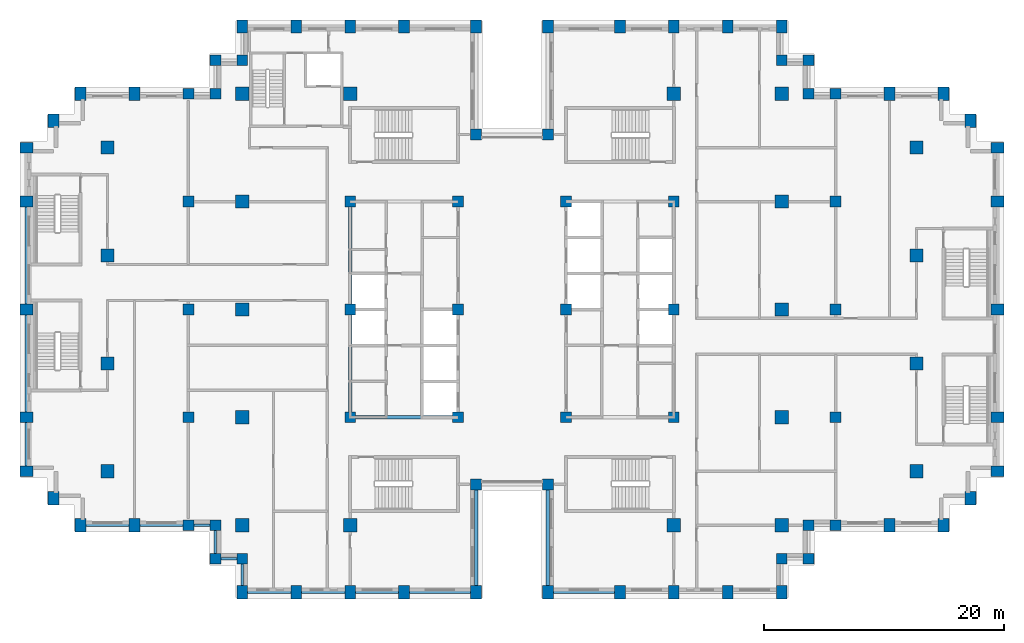
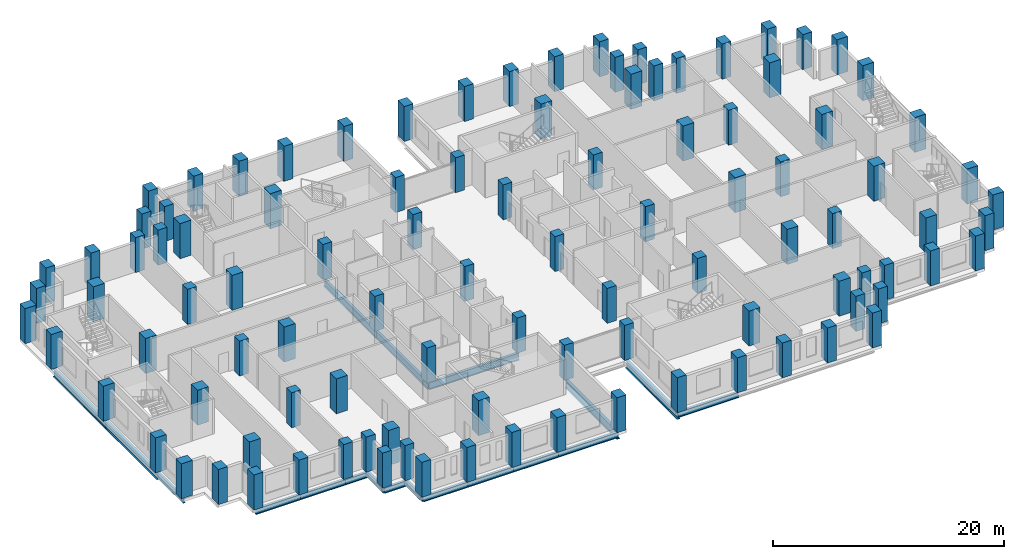
# One storey, part 1 of 15: 102 columns, 19 beams.
"""IFC4 building model written with IfcOpenShell, lengths in metres."""

from ifc_helpers import new_model, si_unit, direction, frame, origin, origin_2d, place, context, subcontext, project, spatial, rectangle, i_section, extrude, material, material_profile, profile_set, type_object, element, save


model = new_model("IFC4")

# Units and contexts
model_context = context("Model", 3, precision=1e-05, world=origin(), true_north=direction((0.0, 1.0)))
body_context = subcontext(model_context, "Body", "Model", "MODEL_VIEW")
ifc_project = project(units=[si_unit("LENGTHUNIT", "METRE"), si_unit("AREAUNIT", "SQUARE_METRE"), si_unit("VOLUMEUNIT", "CUBIC_METRE"), si_unit("PLANEANGLEUNIT", "RADIAN"), si_unit("MASSUNIT", "GRAM", prefix="KILO")], contexts=[model_context])

# Site, building, storey
site_placement = place(None, origin())
site = spatial("IfcSite", under=ifc_project, at=site_placement, CompositionType="ELEMENT")
building_placement = place(site_placement, origin())
building = spatial("IfcBuilding", under=site, at=building_placement, Name="Corbelhall Arena Tower", CompositionType="ELEMENT")
storey_placement = place(building_placement, frame((0.0, 0.0, 134.0)))
storey = spatial("IfcBuildingStorey", under=building, at=storey_placement, Name="L25", CompositionType="ELEMENT", Elevation=134.0)

# Columns
ifc_material_1 = material(Name="Concrete C80/95", Category="concrete")
ifc_material_profile_1 = material_profile(ifc_material_1, rectangle(XDim=1.10009765625, YDim=1.10009765625, at=origin_2d()))
ifc_profile_set_1 = profile_set([ifc_material_profile_1], Name="Concrete C80/95")
column_type_1 = type_object("IfcColumnType", Name="ST-COL-RC 1100x1100", PredefinedType="COLUMN", material=ifc_profile_set_1)
for number, where, z_axis, x_axis, name in (
    (1, (-33.75, 4.5, 0.0), (0.0, 0.0, 1.0), (1.0, 0.0, 0.0), "Column FIC+0450"),
    (2, (-33.75, 13.5, 0.0), (0.0, 0.0, 1.0), (1.0, 0.0, 0.0), "Column FIC+1350"),
    (3, (-33.75, -4.5, 0.0), (0.0, 0.0, 1.0), (1.0, 0.0, 0.0), "Column FIC-0450"),
    (4, (-33.75, -13.5, 0.0), (0.0, 0.0, 1.0), (1.0, 0.0, 0.0), "Column FIC-1350"),
    (5, (33.75, 4.5, 0.0), (0.0, 0.0, 1.0), (1.0, 0.0, 0.0), "Column FID+0450"),
    (6, (33.75, 13.5, 0.0), (0.0, 0.0, 1.0), (1.0, 0.0, 0.0), "Column FID+1350"),
    (7, (33.75, -4.5, 0.0), (0.0, 0.0, 1.0), (1.0, 0.0, 0.0), "Column FID-0450"),
    (8, (33.75, -13.5, 0.0), (0.0, 0.0, 1.0), (1.0, 0.0, 0.0), "Column FID-1350"),
    (9, (13.5, 18.0, 0.0), (0.0, 0.0, 1.0), (1.0, 0.0, 0.0), "Column IE13+1800"),
    (10, (13.5, -18.0, 0.0), (0.0, 0.0, 1.0), (1.0, 0.0, 0.0), "Column IE13-1800"),
    (11, (22.5, 0.0, 0.0), (0.0, 0.0, 1.0), (1.0, 0.0, 0.0), "Column IE22+0000"),
    (12, (22.5, 9.0, 0.0), (0.0, 0.0, 1.0), (1.0, 0.0, 0.0), "Column IE22+0900"),
    (13, (22.5, 18.0, 0.0), (0.0, 0.0, 1.0), (1.0, 0.0, 0.0), "Column IE22+1800"),
    (14, (22.5, -9.0, 0.0), (0.0, 0.0, 1.0), (1.0, 0.0, 0.0), "Column IE22-0900"),
    (15, (22.5, -18.0, 0.0), (0.0, 0.0, 1.0), (1.0, 0.0, 0.0), "Column IE22-1800"),
    (16, (-13.5, 18.0, 0.0), (0.0, 0.0, 1.0), (1.0, 0.0, 0.0), "Column IW13+1800"),
    (17, (-13.5, -18.0, 0.0), (0.0, 0.0, 1.0), (1.0, 0.0, 0.0), "Column IW13-1800"),
    (18, (-22.5, 0.0, 0.0), (0.0, 0.0, 1.0), (1.0, 0.0, 0.0), "Column IW22+0000"),
    (19, (-22.5, 9.0, 0.0), (0.0, 0.0, 1.0), (1.0, 0.0, 0.0), "Column IW22+0900"),
    (20, (-22.5, 18.0, 0.0), (0.0, 0.0, 1.0), (1.0, 0.0, 0.0), "Column IW22+1800"),
    (21, (-22.5, -9.0, 0.0), (0.0, 0.0, 1.0), (1.0, 0.0, 0.0), "Column IW22-0900"),
    (22, (-22.5, -18.0, 0.0), (0.0, 0.0, 1.0), (1.0, 0.0, 0.0), "Column IW22-1800"),
):
    element("IfcColumn", number, at=place(storey_placement, frame(where, z_axis=z_axis, x_axis=x_axis)), inside=storey, type_object=column_type_1, Name=name, PredefinedType="COLUMN", context=body_context, shape_type="SweptSolid", body=[
        extrude(rectangle(XDim=1.10009765625, YDim=1.10009765625, at=origin_2d()), origin(), (0.0, 0.0, 1.0), 3.699951171875),
    ])
ifc_material_profile_2 = material_profile(ifc_material_1, rectangle(XDim=0.89990234375, YDim=1.10009765625, at=origin_2d()))
ifc_profile_set_2 = profile_set([ifc_material_profile_2], Name="Concrete C80/95")
column_type_2 = type_object("IfcColumnType", Name="ST-COL-RC 900x1100", PredefinedType="COLUMN", material=ifc_profile_set_2)
for number, where, z_axis, x_axis, name in (
    (23, (-40.5, 0.0, 0.0), (0.0, 0.0, 1.0), (0.0, 1.0, 0.0), "Column FC+0000"),
    (24, (-40.5, 9.0, 0.0), (0.0, 0.0, 1.0), (0.0, 1.0, 0.0), "Column FC+0900"),
    (25, (-40.5, 13.5, 0.0), (0.0, 0.0, 1.0), (0.0, 1.0, 0.0), "Column FC+1350"),
    (26, (-40.5, -9.0, 0.0), (0.0, 0.0, 1.0), (0.0, 1.0, 0.0), "Column FC-0900"),
    (27, (-40.5, -13.5, 0.0), (0.0, 0.0, 1.0), (0.0, 1.0, 0.0), "Column FC-1350"),
    (28, (-38.25, 15.75, 0.0), (0.0, 0.0, 1.0), (1.0, 0.0, 0.0), "Column FCCN"),
    (29, (-38.25, -15.75, 0.0), (0.0, 0.0, 1.0), (1.0, 0.0, 0.0), "Column FCCS"),
    (30, (-31.5, 18.0, 0.0), (0.0, 0.0, 1.0), (1.0, 0.0, 0.0), "Column FCN3150"),
    (31, (-36.0, 18.0, 0.0), (0.0, 0.0, 1.0), (1.0, 0.0, 0.0), "Column FCN3600"),
    (32, (-31.5, -18.0, 0.0), (0.0, 0.0, 1.0), (1.0, 0.0, 0.0), "Column FCS3150"),
    (33, (-36.0, -18.0, 0.0), (0.0, 0.0, 1.0), (1.0, 0.0, 0.0), "Column FCS3600"),
    (34, (40.5, 0.0, 0.0), (0.0, 0.0, 1.0), (0.0, 1.0, 0.0), "Column FD+0000"),
    (35, (40.5, 9.0, 0.0), (0.0, 0.0, 1.0), (0.0, 1.0, 0.0), "Column FD+0900"),
    (36, (40.5, 13.5, 0.0), (0.0, 0.0, 1.0), (0.0, 1.0, 0.0), "Column FD+1350"),
    (37, (40.5, -9.0, 0.0), (0.0, 0.0, 1.0), (0.0, 1.0, 0.0), "Column FD-0900"),
    (38, (40.5, -13.5, 0.0), (0.0, 0.0, 1.0), (0.0, 1.0, 0.0), "Column FD-1350"),
    (39, (38.25, 15.75, 0.0), (0.0, 0.0, 1.0), (1.0, 0.0, 0.0), "Column FDCN"),
    (40, (38.25, -15.75, 0.0), (0.0, 0.0, 1.0), (1.0, 0.0, 0.0), "Column FDCS"),
    (41, (31.5, 18.0, 0.0), (0.0, 0.0, 1.0), (1.0, 0.0, 0.0), "Column FDN3150"),
    (42, (36.0, 18.0, 0.0), (0.0, 0.0, 1.0), (1.0, 0.0, 0.0), "Column FDN3600"),
    (43, (31.5, -18.0, 0.0), (0.0, 0.0, 1.0), (1.0, 0.0, 0.0), "Column FDS3150"),
    (44, (36.0, -18.0, 0.0), (0.0, 0.0, 1.0), (1.0, 0.0, 0.0), "Column FDS3600"),
    (45, (3.0, 23.60009765625, 0.0), (0.0, 0.0, 1.0), (1.0, 0.0, 0.0), "Column PNE0300"),
    (46, (9.0, 23.60009765625, 0.0), (0.0, 0.0, 1.0), (1.0, 0.0, 0.0), "Column PNE0900"),
    (47, (13.5, 23.60009765625, 0.0), (0.0, 0.0, 1.0), (1.0, 0.0, 0.0), "Column PNE1350"),
    (48, (18.0, 23.60009765625, 0.0), (0.0, 0.0, 1.0), (1.0, 0.0, 0.0), "Column PNE1800"),
    (49, (22.5, 23.60009765625, 0.0), (0.0, 0.0, 1.0), (1.0, 0.0, 0.0), "Column PNE2250"),
    (50, (-3.0, 23.60009765625, 0.0), (0.0, 0.0, 1.0), (1.0, 0.0, 0.0), "Column PNW0300"),
    (51, (-9.0, 23.60009765625, 0.0), (0.0, 0.0, 1.0), (1.0, 0.0, 0.0), "Column PNW0900"),
    (52, (-13.5, 23.60009765625, 0.0), (0.0, 0.0, 1.0), (1.0, 0.0, 0.0), "Column PNW1350"),
    (53, (-18.0, 23.60009765625, 0.0), (0.0, 0.0, 1.0), (1.0, 0.0, 0.0), "Column PNW1800"),
    (54, (-22.5, 23.60009765625, 0.0), (0.0, 0.0, 1.0), (1.0, 0.0, 0.0), "Column PNW2250"),
    (55, (3.0, -23.60009765625, 0.0), (0.0, 0.0, 1.0), (1.0, 0.0, 0.0), "Column PSE0300"),
    (56, (9.0, -23.60009765625, 0.0), (0.0, 0.0, 1.0), (1.0, 0.0, 0.0), "Column PSE0900"),
    (57, (13.5, -23.60009765625, 0.0), (0.0, 0.0, 1.0), (1.0, 0.0, 0.0), "Column PSE1350"),
    (58, (18.0, -23.60009765625, 0.0), (0.0, 0.0, 1.0), (1.0, 0.0, 0.0), "Column PSE1800"),
    (59, (22.5, -23.60009765625, 0.0), (0.0, 0.0, 1.0), (1.0, 0.0, 0.0), "Column PSE2250"),
    (60, (-3.0, -23.60009765625, 0.0), (0.0, 0.0, 1.0), (1.0, 0.0, 0.0), "Column PSW0300"),
    (61, (-9.0, -23.60009765625, 0.0), (0.0, 0.0, 1.0), (1.0, 0.0, 0.0), "Column PSW0900"),
    (62, (-13.5, -23.60009765625, 0.0), (0.0, 0.0, 1.0), (1.0, 0.0, 0.0), "Column PSW1350"),
    (63, (-18.0, -23.60009765625, 0.0), (0.0, 0.0, 1.0), (1.0, 0.0, 0.0), "Column PSW1800"),
    (64, (-22.5, -23.60009765625, 0.0), (0.0, 0.0, 1.0), (1.0, 0.0, 0.0), "Column PSW2250"),
):
    element("IfcColumn", number, at=place(storey_placement, frame(where, z_axis=z_axis, x_axis=x_axis)), inside=storey, type_object=column_type_2, Name=name, PredefinedType="COLUMN", context=body_context, shape_type="SweptSolid", body=[
        extrude(rectangle(XDim=0.89990234375, YDim=1.10009765625, at=origin_2d()), origin(), (0.0, 0.0, 1.0), 3.699951171875),
    ])
ifc_material_profile_3 = material_profile(ifc_material_1, rectangle(XDim=0.89990234375, YDim=0.89990234375, at=origin_2d()))
ifc_profile_set_3 = profile_set([ifc_material_profile_3], Name="Concrete C80/95")
column_type_3 = type_object("IfcColumnType", Name="ST-COL-RC 900x900", PredefinedType="COLUMN", material=ifc_profile_set_3)
for number, where, z_axis, x_axis, name in (
    (65, (4.5, 0.0, 0.0), (0.0, 0.0, 1.0), (1.0, 0.0, 0.0), "Column KE+0450+0000"),
    (66, (4.5, 9.0, 0.0), (0.0, 0.0, 1.0), (1.0, 0.0, 0.0), "Column KE+0450+0900"),
    (67, (4.5, -9.0, 0.0), (0.0, 0.0, 1.0), (1.0, 0.0, 0.0), "Column KE+0450-0900"),
    (68, (13.5, 0.0, 0.0), (0.0, 0.0, 1.0), (1.0, 0.0, 0.0), "Column KE+1350+0000"),
    (69, (13.5, 9.0, 0.0), (0.0, 0.0, 1.0), (1.0, 0.0, 0.0), "Column KE+1350+0900"),
    (70, (13.5, -9.0, 0.0), (0.0, 0.0, 1.0), (1.0, 0.0, 0.0), "Column KE+1350-0900"),
    (71, (-4.5, 0.0, 0.0), (0.0, 0.0, 1.0), (1.0, 0.0, 0.0), "Column KW-0450+0000"),
    (72, (-4.5, 9.0, 0.0), (0.0, 0.0, 1.0), (1.0, 0.0, 0.0), "Column KW-0450+0900"),
    (73, (-4.5, -9.0, 0.0), (0.0, 0.0, 1.0), (1.0, 0.0, 0.0), "Column KW-0450-0900"),
    (74, (-13.5, 0.0, 0.0), (0.0, 0.0, 1.0), (1.0, 0.0, 0.0), "Column KW-1350+0000"),
    (75, (-13.5, 9.0, 0.0), (0.0, 0.0, 1.0), (1.0, 0.0, 0.0), "Column KW-1350+0900"),
    (76, (-13.5, -9.0, 0.0), (0.0, 0.0, 1.0), (1.0, 0.0, 0.0), "Column KW-1350-0900"),
    (77, (27.0, 0.0, 0.0), (0.0, 0.0, 1.0), (1.0, 0.0, 0.0), "Column PE+0000"),
    (78, (27.0, 9.0, 0.0), (0.0, 0.0, 1.0), (1.0, 0.0, 0.0), "Column PE+0900"),
    (79, (27.0, 18.0, 0.0), (0.0, 0.0, 1.0), (1.0, 0.0, 0.0), "Column PE+1800"),
    (80, (27.0, -9.0, 0.0), (0.0, 0.0, 1.0), (1.0, 0.0, 0.0), "Column PE-0900"),
    (81, (27.0, -18.0, 0.0), (0.0, 0.0, 1.0), (1.0, 0.0, 0.0), "Column PE-1800"),
    (82, (-27.0, 0.0, 0.0), (0.0, 0.0, 1.0), (1.0, 0.0, 0.0), "Column PW+0000"),
    (83, (-27.0, 9.0, 0.0), (0.0, 0.0, 1.0), (1.0, 0.0, 0.0), "Column PW+0900"),
    (84, (-27.0, 18.0, 0.0), (0.0, 0.0, 1.0), (1.0, 0.0, 0.0), "Column PW+1800"),
    (85, (-27.0, -9.0, 0.0), (0.0, 0.0, 1.0), (1.0, 0.0, 0.0), "Column PW-0900"),
    (86, (-27.0, -18.0, 0.0), (0.0, 0.0, 1.0), (1.0, 0.0, 0.0), "Column PW-1800"),
    (87, (3.0, 14.60009765625, 0.0), (0.0, 0.0, 1.0), (1.0, 0.0, 0.0), "Column SLNE2"),
    (88, (-3.0, 14.60009765625, 0.0), (0.0, 0.0, 1.0), (1.0, 0.0, 0.0), "Column SLNW2"),
    (89, (3.0, -14.60009765625, 0.0), (0.0, 0.0, 1.0), (1.0, 0.0, 0.0), "Column SLSE2"),
    (90, (-3.0, -14.60009765625, 0.0), (0.0, 0.0, 1.0), (1.0, 0.0, 0.0), "Column SLSW2"),
    (91, (22.5, 20.800048828125, 0.0), (0.0, 0.0, 1.0), (1.0, 0.0, 0.0), "Column XNE1"),
    (92, (24.75, 20.800048828125, 0.0), (0.0, 0.0, 1.0), (1.0, 0.0, 0.0), "Column XNE2"),
    (93, (24.75, 18.0, 0.0), (0.0, 0.0, 1.0), (1.0, 0.0, 0.0), "Column XNE3"),
    (94, (-22.5, 20.800048828125, 0.0), (0.0, 0.0, 1.0), (1.0, 0.0, 0.0), "Column XNW1"),
    (95, (-24.75, 20.800048828125, 0.0), (0.0, 0.0, 1.0), (1.0, 0.0, 0.0), "Column XNW2"),
    (96, (-24.75, 18.0, 0.0), (0.0, 0.0, 1.0), (1.0, 0.0, 0.0), "Column XNW3"),
    (97, (22.5, -20.800048828125, 0.0), (0.0, 0.0, 1.0), (1.0, 0.0, 0.0), "Column XSE1"),
    (98, (24.75, -20.800048828125, 0.0), (0.0, 0.0, 1.0), (1.0, 0.0, 0.0), "Column XSE2"),
    (99, (24.75, -18.0, 0.0), (0.0, 0.0, 1.0), (1.0, 0.0, 0.0), "Column XSE3"),
    (100, (-22.5, -20.800048828125, 0.0), (0.0, 0.0, 1.0), (1.0, 0.0, 0.0), "Column XSW1"),
    (101, (-24.75, -20.800048828125, 0.0), (0.0, 0.0, 1.0), (1.0, 0.0, 0.0), "Column XSW2"),
    (102, (-24.75, -18.0, 0.0), (0.0, 0.0, 1.0), (1.0, 0.0, 0.0), "Column XSW3"),
):
    element("IfcColumn", number, at=place(storey_placement, frame(where, z_axis=z_axis, x_axis=x_axis)), inside=storey, type_object=column_type_3, Name=name, PredefinedType="COLUMN", context=body_context, shape_type="SweptSolid", body=[
        extrude(rectangle(XDim=0.89990234375, YDim=0.89990234375, at=origin_2d()), origin(), (0.0, 0.0, 1.0), 3.699951171875),
    ])

# Beams
ifc_material_2 = material(Name="Steel ASTM A992 Gr50", Category="steel")
ifc_material_profile_4 = material_profile(ifc_material_2, i_section(OverallWidth=0.2666015625, OverallDepth=0.761962890625, WebThickness=0.014404296875, FlangeThickness=0.021484375, at=origin_2d()))
ifc_profile_set_4 = profile_set([ifc_material_profile_4], Name="Steel ASTM A992 Gr50")
beam_type_1 = type_object("IfcBeamType", Name="ST-BEAM-W30x116", PredefinedType="BEAM", material=ifc_profile_set_4)
for number, where, z_axis, x_axis, name in (
    (103, (-13.5, -9.0, -0.680908203125), (0.0, 1.0, 0.0), (-1.0, 0.0, 0.0), "Beam CEW 1"),
    (104, (-13.5, 0.0, -0.680908203125), (0.0, 1.0, 0.0), (-1.0, 0.0, 0.0), "Beam CEW 2"),
    (105, (-13.5, -9.0, -0.680908203125), (1.0, 0.0, 0.0), (0.0, 1.0, 0.0), "Beam CEW 5"),
):
    element("IfcBeam", number, at=place(storey_placement, frame(where, z_axis=z_axis, x_axis=x_axis)), inside=storey, type_object=beam_type_1, Name=name, PredefinedType="BEAM", context=body_context, shape_type="SweptSolid", body=[
        extrude(i_section(OverallWidth=0.2666015625, OverallDepth=0.761962890625, WebThickness=0.014404296875, FlangeThickness=0.021484375, at=origin_2d()), origin(), (0.0, 0.0, 1.0), 9.0),
    ])
ifc_material_profile_5 = material_profile(ifc_material_2, i_section(OverallWidth=0.22900390625, OverallDepth=0.612060546875, WebThickness=0.011962890625, FlangeThickness=0.01953125, at=origin_2d()))
ifc_profile_set_5 = profile_set([ifc_material_profile_5], Name="Steel ASTM A992 Gr50")
beam_type_2 = type_object("IfcBeamType", Name="ST-SPANDREL-W24x84", PredefinedType="SPANDREL", material=ifc_profile_set_5)
for number, where, z_axis, x_axis, name in (
    (106, (-40.5, -13.5, -0.60595703125), (0.0, 1.0, 0.0), (-1.0, 0.0, 0.0), "Beam SP 4"),
    (107, (-31.5, -18.0, -0.60595703125), (-1.0, 0.0, 0.0), (0.0, -1.0, 0.0), "Beam SP 7"),
):
    element("IfcBeam", number, at=place(storey_placement, frame(where, z_axis=z_axis, x_axis=x_axis)), inside=storey, type_object=beam_type_2, Name=name, PredefinedType="SPANDREL", context=body_context, shape_type="SweptSolid", body=[
        extrude(i_section(OverallWidth=0.22900390625, OverallDepth=0.612060546875, WebThickness=0.011962890625, FlangeThickness=0.01953125, at=origin_2d()), origin(), (0.0, 0.0, 1.0), 4.5),
    ])
for number, where, z_axis, x_axis, name in (
    (108, (9.0, -23.60009765625, -0.60595703125), (-1.0, 0.0, 0.0), (0.0, -1.0, 0.0), "Beam SP 28"),
    (109, (-3.0, -23.60009765625, -0.60595703125), (-1.0, 0.0, 0.0), (0.0, -1.0, 0.0), "Beam SP 32"),
):
    element("IfcBeam", number, at=place(storey_placement, frame(where, z_axis=z_axis, x_axis=x_axis)), inside=storey, type_object=beam_type_2, Name=name, PredefinedType="SPANDREL", context=body_context, shape_type="SweptSolid", body=[
        extrude(i_section(OverallWidth=0.22900390625, OverallDepth=0.612060546875, WebThickness=0.011962890625, FlangeThickness=0.01953125, at=origin_2d()), origin(), (0.0, 0.0, 1.0), 6.0),
    ])
for number, where, z_axis, x_axis, name in (
    (110, (-9.0, -23.60009765625, -0.60595703125), (-1.0, 0.0, 0.0), (0.0, -1.0, 0.0), "Beam SP 33"),
    (111, (-13.5, -23.60009765625, -0.60595703125), (-1.0, 0.0, 0.0), (0.0, -1.0, 0.0), "Beam SP 34"),
    (112, (-18.0, -23.60009765625, -0.60595703125), (-1.0, 0.0, 0.0), (0.0, -1.0, 0.0), "Beam SP 35"),
):
    element("IfcBeam", number, at=place(storey_placement, frame(where, z_axis=z_axis, x_axis=x_axis)), inside=storey, type_object=beam_type_2, Name=name, PredefinedType="SPANDREL", context=body_context, shape_type="SweptSolid", body=[
        extrude(i_section(OverallWidth=0.22900390625, OverallDepth=0.612060546875, WebThickness=0.011962890625, FlangeThickness=0.01953125, at=origin_2d()), origin(), (0.0, 0.0, 1.0), 4.5),
    ])
beam_1_placement = place(storey_placement, frame((-22.5, -23.60009765625, -0.60595703125), z_axis=(0.0, 1.0, 0.0), x_axis=(-1.0, 0.0, 0.0)))
element("IfcBeam", 113, at=beam_1_placement, inside=storey, type_object=beam_type_2, Name="Beam SP 36", PredefinedType="SPANDREL", context=body_context, shape_type="SweptSolid", body=[
    extrude(i_section(OverallWidth=0.22900390625, OverallDepth=0.612060546875, WebThickness=0.011962890625, FlangeThickness=0.01953125, at=origin_2d()), origin(), (0.0, 0.0, 1.0), 2.800048828125),
])
beam_2_placement = place(storey_placement, frame((-27.0, -18.0, -0.60595703125), z_axis=(-1.0, 0.0, 0.0), x_axis=(0.0, -1.0, 0.0)))
element("IfcBeam", 114, at=beam_2_placement, inside=storey, type_object=beam_type_2, Name="Beam SP 38", PredefinedType="SPANDREL", context=body_context, shape_type="SweptSolid", body=[
    extrude(i_section(OverallWidth=0.22900390625, OverallDepth=0.612060546875, WebThickness=0.011962890625, FlangeThickness=0.01953125, at=origin_2d()), origin(), (0.0, 0.0, 1.0), 4.5),
])
beam_3_placement = place(storey_placement, frame((-22.5, -20.800048828125, -0.60595703125), z_axis=(-1.0, 0.0, 0.0), x_axis=(0.0, -1.0, 0.0)))
element("IfcBeam", 115, at=beam_3_placement, inside=storey, type_object=beam_type_2, Name="Beam SP 52", PredefinedType="SPANDREL", context=body_context, shape_type="SweptSolid", body=[
    extrude(i_section(OverallWidth=0.22900390625, OverallDepth=0.612060546875, WebThickness=0.011962890625, FlangeThickness=0.01953125, at=origin_2d()), origin(), (0.0, 0.0, 1.0), 2.25),
])
beam_4_placement = place(storey_placement, frame((-24.75, -20.800048828125, -0.60595703125), z_axis=(0.0, 1.0, 0.0), x_axis=(-1.0, 0.0, 0.0)))
element("IfcBeam", 116, at=beam_4_placement, inside=storey, type_object=beam_type_2, Name="Beam SP 53", PredefinedType="SPANDREL", context=body_context, shape_type="SweptSolid", body=[
    extrude(i_section(OverallWidth=0.22900390625, OverallDepth=0.612060546875, WebThickness=0.011962890625, FlangeThickness=0.01953125, at=origin_2d()), origin(), (0.0, 0.0, 1.0), 2.800048828125),
])
beam_5_placement = place(storey_placement, frame((-24.75, -18.0, -0.60595703125), z_axis=(-1.0, 0.0, 0.0), x_axis=(0.0, -1.0, 0.0)))
element("IfcBeam", 117, at=beam_5_placement, inside=storey, type_object=beam_type_2, Name="Beam SP 54", PredefinedType="SPANDREL", context=body_context, shape_type="SweptSolid", body=[
    extrude(i_section(OverallWidth=0.22900390625, OverallDepth=0.612060546875, WebThickness=0.011962890625, FlangeThickness=0.01953125, at=origin_2d()), origin(), (0.0, 0.0, 1.0), 2.25),
])
ifc_material_profile_6 = material_profile(ifc_material_2, i_section(OverallWidth=0.2919921875, OverallDepth=0.845703125, WebThickness=0.015380859375, FlangeThickness=0.0244140625, at=origin_2d()))
ifc_profile_set_6 = profile_set([ifc_material_profile_6], Name="Steel ASTM A992 Gr50")
beam_type_3 = type_object("IfcBeamType", Name="ST-SPANDREL-W33x141", PredefinedType="SPANDREL", material=ifc_profile_set_6)
for number, where, z_axis, x_axis, name in (
    (118, (-40.5, 0.0, -0.722900390625), (0.0, 1.0, 0.0), (-1.0, 0.0, 0.0), "Beam SP 1"),
    (119, (-40.5, -9.0, -0.722900390625), (0.0, 1.0, 0.0), (-1.0, 0.0, 0.0), "Beam SP 3"),
    (120, (3.0, -23.60009765625, -0.722900390625), (0.0, 1.0, 0.0), (-1.0, 0.0, 0.0), "Beam SP 27"),
    (121, (-3.0, -14.60009765625, -0.722900390625), (0.0, -1.0, 0.0), (1.0, 0.0, 0.0), "Beam SP 42"),
):
    element("IfcBeam", number, at=place(storey_placement, frame(where, z_axis=z_axis, x_axis=x_axis)), inside=storey, type_object=beam_type_3, Name=name, PredefinedType="SPANDREL", context=body_context, shape_type="SweptSolid", body=[
        extrude(i_section(OverallWidth=0.2919921875, OverallDepth=0.845703125, WebThickness=0.015380859375, FlangeThickness=0.0244140625, at=origin_2d()), origin(), (0.0, 0.0, 1.0), 9.0),
    ])

save(model, "model.ifc")
